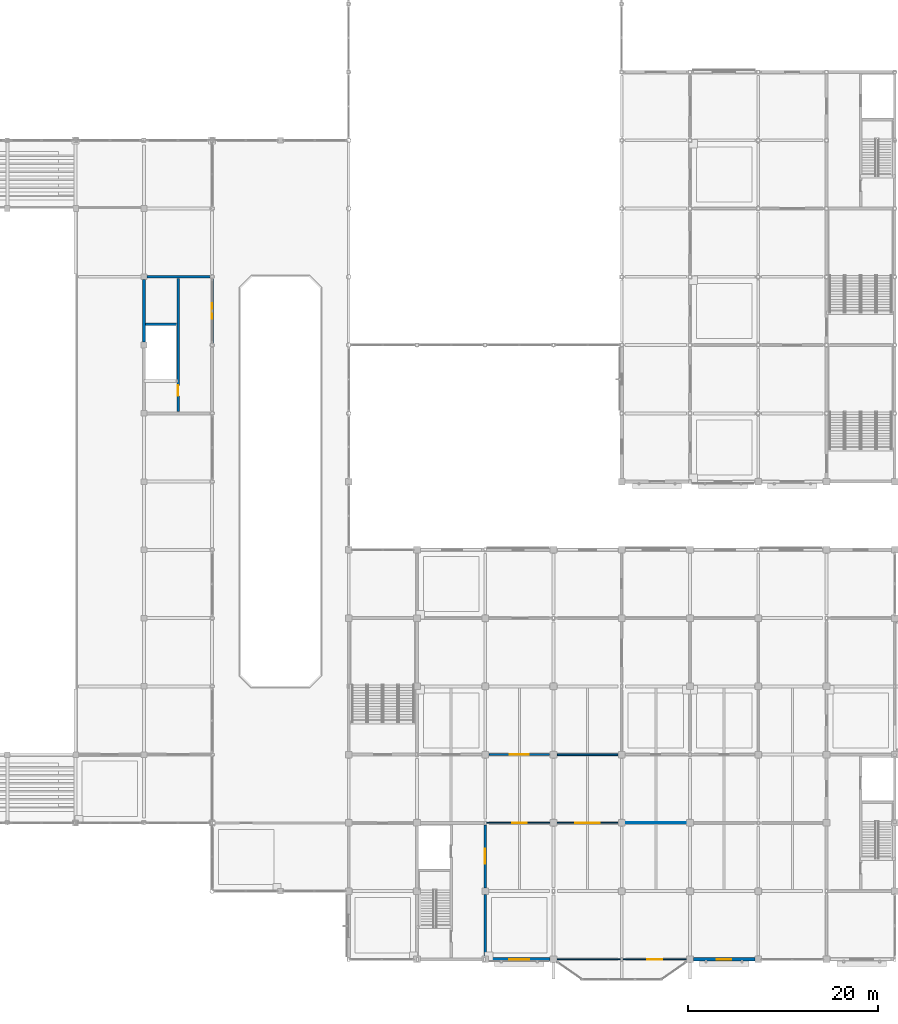
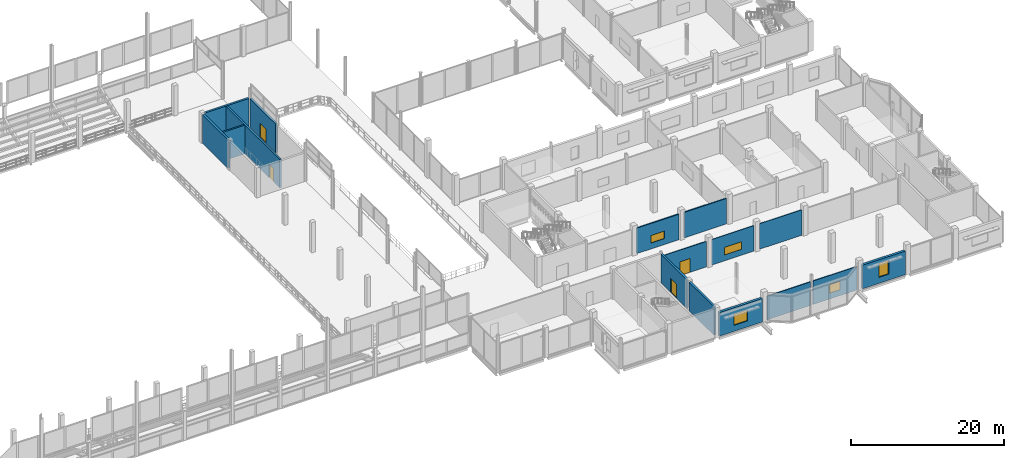
# One storey, part 95 of 120: 16 walls, 5 windows, 4 doors, 9 openings.
"""IFC4 building model written with IfcOpenShell, lengths in metres."""

import ifcopenshell
import ifcopenshell.guid

model = None  # the IFC model being written
_history = None  # IfcOwnerHistory: only IFC2X3 demands one
_inside = {}  # id of a spatial element -> (the spatial element, [elements in it])
_under = {}  # id of a project, library or spatial element -> (it, [spatial elements below it])
_declared = {}  # id of a project -> (the project, [libraries it declares])
_typed = {}  # id of a type object -> (the type object, [elements of that type])
_made_of = {}  # id of a material, layer set ... -> (it, [elements and type objects made of it])


def new_model(schema):
    """Start an empty IFC model of exactly this schema.

    Asked for "IFC4X3", IfcOpenShell would pick the latest addendum, in which some entities
    have other attributes; the version numbers below select the first issue.
    IFC2X3 requires an IfcOwnerHistory on every rooted entity: one is made here for all.
    """
    global model, _history
    if schema == "IFC4X3":
        model = ifcopenshell.file(schema_version=(4, 3, 0, 0))
    else:
        model = ifcopenshell.file(schema=schema)
    _inside.clear()
    _under.clear()
    _declared.clear()
    _typed.clear()
    _made_of.clear()
    _history = None
    if model.schema == "IFC2X3":
        org = make("IfcOrganization", Name="unknown")
        user = make(
            "IfcPersonAndOrganization",
            ThePerson=make("IfcPerson", FamilyName="unknown"),
            TheOrganization=org,
        )
        app = make(
            "IfcApplication",
            ApplicationDeveloper=org,
            Version="unknown",
            ApplicationFullName="unknown",
            ApplicationIdentifier="unknown",
        )
        _history = make(
            "IfcOwnerHistory",
            OwningUser=user,
            OwningApplication=app,
            ChangeAction="ADDED",
            CreationDate=0,
        )
    return model


def make(cls, **values):
    """One entity of the class cls with the attributes given. An attribute that is None is left unset."""
    return model.create_entity(
        cls, **{name: value for name, value in values.items() if value is not None}
    )


def rooted(cls, **values):
    """An entity with a GlobalId (a new one), such as an element, a storey or a relation."""
    return make(cls, GlobalId=ifcopenshell.guid.new(), OwnerHistory=_history, **values)


def si_unit(unit_type, name, prefix=None):
    """IfcSIUnit, for example si_unit("LENGTHUNIT", "METRE", prefix="MILLI")."""
    return make("IfcSIUnit", UnitType=unit_type, Prefix=prefix, Name=name)


def assignment(units):
    """IfcUnitAssignment: the units of a project."""
    return None if units is None else make("IfcUnitAssignment", Units=units)


def point(xyz):
    """IfcCartesianPoint."""
    return None if xyz is None else make("IfcCartesianPoint", Coordinates=xyz)


def direction(xyz):
    """IfcDirection."""
    return None if xyz is None else make("IfcDirection", DirectionRatios=xyz)


def frame(location, z_axis=None, x_axis=None):
    """IfcAxis2Placement3D, a coordinate frame: its origin and axes. An axis left out is left unset."""
    return make(
        "IfcAxis2Placement3D",
        Location=point(location),
        Axis=direction(z_axis),
        RefDirection=direction(x_axis),
    )


def frame_2d(location, x_axis=None):
    """IfcAxis2Placement2D, a coordinate frame in the plane: its origin and x axis."""
    return make(
        "IfcAxis2Placement2D", Location=point(location), RefDirection=direction(x_axis)
    )


def origin():
    """The frame at (0, 0, 0) with its axes left unset."""
    return frame((0.0, 0.0, 0.0))


def place(relative_to, where):
    """IfcLocalPlacement: puts the frame where relative to a parent placement (None: the world)."""
    return make(
        "IfcLocalPlacement", PlacementRelTo=relative_to, RelativePlacement=where
    )


def context(
    kind, dimensions, precision=None, world=None, true_north=None, identifier=None
):
    """IfcGeometricRepresentationContext, for example the 3D "Model" context."""
    return make(
        "IfcGeometricRepresentationContext",
        ContextIdentifier=identifier,
        ContextType=kind,
        CoordinateSpaceDimension=dimensions,
        Precision=precision,
        WorldCoordinateSystem=world,
        TrueNorth=true_north,
    )


def subcontext(parent, identifier, kind, view, scale=None):
    """IfcGeometricRepresentationSubContext, for example "Body" below "Model"."""
    return make(
        "IfcGeometricRepresentationSubContext",
        ContextIdentifier=identifier,
        ContextType=kind,
        ParentContext=parent,
        TargetScale=scale,
        TargetView=view,
    )


def project(units=None, contexts=None):
    """IfcProject with its units and contexts."""
    return rooted(
        "IfcProject",
        Name="project",
        RepresentationContexts=contexts,
        UnitsInContext=assignment(units),
    )


def spatial(cls, under=None, at=None, **own):
    """A site, building, storey or space (cls), placed at a placement, below another one or the project."""
    s = rooted(cls, ObjectPlacement=at, **own)
    if under is not None:
        _under.setdefault(under.id(), (under, []))[1].append(s)
    return s


def profile(cls, at=None, kind="AREA", **sizes):
    """A parametric profile (cls). Its sizes go by their IFC names, for example OverallWidth=200.0."""
    return make(cls, ProfileType=kind, Position=at, **sizes)


def rectangle(**sizes):
    """IfcRectangleProfileDef."""
    return profile("IfcRectangleProfileDef", **sizes)


def extrude(swept, where, along, depth):
    """IfcExtrudedAreaSolid: the profile swept, set in the frame where, extruded along a direction by depth."""
    return make(
        "IfcExtrudedAreaSolid",
        SweptArea=swept,
        Position=where,
        ExtrudedDirection=direction(along),
        Depth=depth,
    )


def shape(context_of_items, identifier, shape_type, items):
    """IfcShapeRepresentation: the items that make up one representation, for example the "Body"."""
    return make(
        "IfcShapeRepresentation",
        ContextOfItems=context_of_items,
        RepresentationIdentifier=identifier,
        RepresentationType=shape_type,
        Items=items,
    )


def material(Name=None, Category=None):
    """IfcMaterial."""
    return make("IfcMaterial", Name=Name, Category=Category)


def layer(
    of_material, thickness, ventilated=None, Name=None, Category=None, Priority=None
):
    """IfcMaterialLayer: one layer of a wall or slab, of a material (None: an air gap)."""
    return make(
        "IfcMaterialLayer",
        Material=of_material,
        LayerThickness=thickness,
        IsVentilated=ventilated,
        Name=Name,
        Category=Category,
        Priority=Priority,
    )


def layer_set(layers, Name=None):
    """IfcMaterialLayerSet."""
    return make("IfcMaterialLayerSet", MaterialLayers=layers, LayerSetName=Name)


def made_of(thing, what):
    """Note that an element or type object is made of a material, layer set ...; save() writes the relation."""
    if what is not None:
        _made_of.setdefault(what.id(), (what, []))[1].append(thing)
    return thing


def type_object(cls, material=None, **own):
    """A type object (cls), such as IfcWallType, which elements share."""
    return made_of(rooted(cls, **own), material)


def element(
    cls,
    number,
    at=None,
    inside=None,
    cuts=None,
    type_object=None,
    material=None,
    context=None,
    identifier="Body",
    shape_type=None,
    held_by="IfcProductDefinitionShape",
    body=None,
    shapes=None,
    **own,
):
    """One element of the class cls, such as IfcWall. Its Tag is "e" and its number.

    at: its placement. inside: the storey or other place that contains it. cuts: it is an
    opening in that element (IfcRelVoidsElement). A single representation is given by context,
    identifier, shape_type and body (its items); several are given by shapes. held_by: the class
    of the entity that holds the representations. save() writes the other relations.
    """
    e = rooted(cls, Tag="e%d" % number, ObjectPlacement=at, **own)
    if body is not None:
        shapes = [shape(context, identifier, shape_type, body)]
    if shapes is not None:
        e.Representation = make(held_by, Representations=shapes)
    if inside is not None:
        _inside.setdefault(inside.id(), (inside, []))[1].append(e)
    if cuts is not None:
        rooted(
            "IfcRelVoidsElement", RelatingBuildingElement=cuts, RelatedOpeningElement=e
        )
    if type_object is not None:
        _typed.setdefault(type_object.id(), (type_object, []))[1].append(e)
    return made_of(e, material)


def fill(opening, filler):
    """IfcRelFillsElement: the door or window that sits in an opening."""
    return rooted(
        "IfcRelFillsElement",
        RelatingOpeningElement=opening,
        RelatedBuildingElement=filler,
    )


def aggregate(whole, parts):
    """IfcRelAggregates: a whole, such as a stair, and the parts it consists of."""
    return rooted("IfcRelAggregates", RelatingObject=whole, RelatedObjects=parts)


def save(model, path):
    """Write the relations noted so far, then the file.

    IfcRelAggregates (storeys below a building ...), IfcRelContainedInSpatialStructure (elements
    in a storey), IfcRelDefinesByType, IfcRelAssociatesMaterial and IfcRelDeclares: one each for
    every whole, place, type object, material and project.
    """
    for whole, parts in _under.values():
        aggregate(whole, parts)
    for where, things in _inside.values():
        rooted(
            "IfcRelContainedInSpatialStructure",
            RelatedElements=things,
            RelatingStructure=where,
        )
    for kind, things in _typed.values():
        rooted("IfcRelDefinesByType", RelatedObjects=things, RelatingType=kind)
    for what, things in _made_of.values():
        rooted("IfcRelAssociatesMaterial", RelatedObjects=things, RelatingMaterial=what)
    for by, libraries in _declared.values():
        rooted("IfcRelDeclares", RelatingContext=by, RelatedDefinitions=libraries)
    model.write(path)


model = new_model("IFC4")

# Units and contexts
model_context = context("Model", 3, precision=1e-05, world=origin(), true_north=direction((0.0, 1.0)))
body_context = subcontext(model_context, "Body", "Model", "MODEL_VIEW")
ifc_project = project(units=[si_unit("LENGTHUNIT", "METRE"), si_unit("AREAUNIT", "SQUARE_METRE"), si_unit("VOLUMEUNIT", "CUBIC_METRE"), si_unit("PLANEANGLEUNIT", "RADIAN"), si_unit("MASSUNIT", "GRAM", prefix="KILO")], contexts=[model_context])

# Site, building, storey
site_placement = place(None, origin())
site = spatial("IfcSite", under=ifc_project, at=site_placement, CompositionType="ELEMENT")
building_placement = place(site_placement, origin())
building = spatial("IfcBuilding", under=site, at=building_placement, Name="Vesperath Aquatics Centre", CompositionType="ELEMENT")
storey_placement = place(building_placement, frame((0.0, 0.0, 10.199951171875)))
storey = spatial("IfcBuildingStorey", under=building, at=storey_placement, Name="L02", CompositionType="ELEMENT", Elevation=10.199951171875)

# Wall, opening, window
ifc_material_1 = material(Name="Glazed majolica and brick insulated cavity wall", Category="masonry")
ifc_layer_1 = layer(ifc_material_1, 0.360107421875)
ifc_layer_set_1 = layer_set([ifc_layer_1], Name="Glazed majolica and brick insulated cavity wall")
wall_type_1 = type_object("IfcWallType", Name="WL-EW03", PredefinedType="SOLIDWALL", material=ifc_layer_set_1)
wall_1_placement = place(storey_placement, frame((129.949951171875, 0.0, 0.0), z_axis=(0.0, 0.0, 1.0), x_axis=(1.0, 0.0, 0.0)))
wall_1 = element("IfcWall", 1, at=wall_1_placement, inside=storey, type_object=wall_type_1, Name="Exterior Wall EW03 L02_S_18_00", PredefinedType="SOLIDWALL", context=body_context, shape_type="SweptSolid", body=[
    extrude(rectangle(XDim=6.5, YDim=0.360107421875, at=frame_2d((3.25, 0.0))), origin(), (0.0, 0.0, 1.0), 3.760009765625),
])
opening_1_placement = place(wall_1_placement, frame((2.199951171875, 0.0, 0.949951171875)))
opening_1 = element("IfcOpeningElement", 2, at=opening_1_placement, cuts=wall_1, Name="Opening W11", PredefinedType="OPENING", context=body_context, shape_type="SweptSolid", body=[
    extrude(rectangle(XDim=2.10009765625, YDim=1.75, at=frame_2d((1.050048828125, 0.875))), frame((0.0, 0.19482421875, 0.0), z_axis=(0.0, -1.0, 0.0), x_axis=(1.0, 0.0, 0.0)), (0.0, 0.0, 1.0), 0.389892578125),
])
ifc_material_2 = material(Name="Thermally broken aluminium triple-glazed window", Category="aluminium")
window_type_1 = type_object("IfcWindowType", Name="WN-W11", PartitioningType="SINGLE_PANEL", PredefinedType="WINDOW", material=ifc_material_2)
window_1_placement = place(opening_1_placement, origin())
window_1 = element("IfcWindow", 3, at=window_1_placement, inside=storey, type_object=window_type_1, Name="Deep-Reveal Casement Window W11 L02_S_18_00", OverallHeight=1.75, OverallWidth=2.10009765625, PartitioningType="SINGLE_PANEL", PredefinedType="WINDOW", context=body_context, shape_type="SweptSolid", body=[
    extrude(rectangle(XDim=2.10009765625, YDim=1.75, at=frame_2d((1.050048828125, 0.875))), frame((0.0, 0.030029296875, 0.0), z_axis=(0.0, -1.0, 0.0), x_axis=(1.0, 0.0, 0.0)), (0.0, 0.0, 1.0), 0.06005859375),
])
fill(opening_1, window_1)

wall_2_placement = place(storey_placement, frame((151.550048828125, 0.0, 0.0), z_axis=(0.0, 0.0, 1.0), x_axis=(1.0, 0.0, 0.0)))
wall_2 = element("IfcWall", 4, at=wall_2_placement, inside=storey, type_object=wall_type_1, Name="Exterior Wall EW03 L02_S_21_00", PredefinedType="SOLIDWALL", context=body_context, shape_type="SweptSolid", body=[
    extrude(rectangle(XDim=6.5, YDim=0.360107421875, at=frame_2d((3.25, 0.0))), origin(), (0.0, 0.0, 1.0), 3.760009765625),
])
opening_2_placement = place(wall_2_placement, frame((2.5, 0.0, 0.949951171875)))
opening_2 = element("IfcOpeningElement", 5, at=opening_2_placement, cuts=wall_2, Name="Opening W04", PredefinedType="OPENING", context=body_context, shape_type="SweptSolid", body=[
    extrude(rectangle(XDim=1.5, YDim=2.199951171875, at=frame_2d((0.75, 1.10009765625))), frame((0.0, 0.19482421875, 0.0), z_axis=(0.0, -1.0, 0.0), x_axis=(1.0, 0.0, 0.0)), (0.0, 0.0, 1.0), 0.389892578125),
])
window_type_2 = type_object("IfcWindowType", Name="WN-W04", PartitioningType="SINGLE_PANEL", PredefinedType="WINDOW", material=ifc_material_2)
window_2_placement = place(opening_2_placement, origin())
window_2 = element("IfcWindow", 6, at=window_2_placement, inside=storey, type_object=window_type_2, Name="Deep-Reveal Casement Window W04 L02_S_21_00", OverallHeight=2.199951171875, OverallWidth=1.5, PartitioningType="SINGLE_PANEL", PredefinedType="WINDOW", context=body_context, shape_type="SweptSolid", body=[
    extrude(rectangle(XDim=1.5, YDim=2.199951171875, at=frame_2d((0.75, 1.10009765625))), frame((0.0, 0.030029296875, 0.0), z_axis=(0.0, -1.0, 0.0), x_axis=(1.0, 0.0, 0.0)), (0.0, 0.0, 1.0), 0.06005859375),
])
fill(opening_2, window_2)

ifc_material_3 = material(Name="Plant acoustic masonry wall", Category="masonry")
ifc_layer_2 = layer(ifc_material_3, 0.18994140625)
ifc_layer_set_2 = layer_set([ifc_layer_2], Name="Plant acoustic masonry wall")
wall_type_2 = type_object("IfcWallType", Name="WL-FW04", PredefinedType="SOLIDWALL", material=ifc_layer_set_2)
wall_3_placement = place(storey_placement, frame((130.0, 21.60009765625, 0.0), z_axis=(0.0, 0.0, 1.0), x_axis=(1.0, 0.0, 0.0)))
wall_3 = element("IfcWall", 7, at=wall_3_placement, inside=storey, type_object=wall_type_2, Name="Interior Partition FW04 L02_FUNC_TR-S2", PredefinedType="SOLIDWALL", context=body_context, shape_type="SweptSolid", body=[
    extrude(rectangle(XDim=6.39990234375, YDim=0.18994140625, at=frame_2d((3.199951171875, 0.0))), origin(), (0.0, 0.0, 1.0), 4.072021484375),
])
opening_3_placement = place(wall_3_placement, frame((2.199951171875, 0.0, 0.949951171875)))
opening_3 = element("IfcOpeningElement", 8, at=opening_3_placement, cuts=wall_3, Name="Opening VW11", PredefinedType="OPENING", context=body_context, shape_type="SweptSolid", body=[
    extrude(rectangle(XDim=2.0, YDim=1.199951171875, at=frame_2d((1.0, 0.60009765625))), frame((0.0, 0.10986328125, 0.0), z_axis=(0.0, -1.0, 0.0), x_axis=(1.0, 0.0, 0.0)), (0.0, 0.0, 1.0), 0.2197265625),
])
ifc_material_4 = material(Name="Acoustic laminated interior viewing glazing", Category="glass")
window_type_3 = type_object("IfcWindowType", Name="WN-IW11", PartitioningType="SINGLE_PANEL", PredefinedType="WINDOW", material=ifc_material_4)
window_3_placement = place(opening_3_placement, origin())
window_3 = element("IfcWindow", 9, at=window_3_placement, inside=storey, type_object=window_type_3, Name="Interior Viewing Window VW11 L02_FUNC_TR", OverallHeight=1.199951171875, OverallWidth=2.0, PartitioningType="SINGLE_PANEL", PredefinedType="WINDOW", context=body_context, shape_type="SweptSolid", body=[
    extrude(rectangle(XDim=2.0, YDim=1.199951171875, at=frame_2d((1.0, 0.60009765625))), frame((0.0, 0.030029296875, 0.0), z_axis=(0.0, -1.0, 0.0), x_axis=(1.0, 0.0, 0.0)), (0.0, 0.0, 1.0), 0.06005859375),
])
fill(opening_3, window_3)

# Walls
ifc_material_5 = material(Name="Double-stud acoustic studio partition", Category="gypsum")
ifc_layer_3 = layer(ifc_material_5, 0.18505859375)
ifc_layer_set_3 = layer_set([ifc_layer_3], Name="Double-stud acoustic studio partition")
wall_type_3 = type_object("IfcWallType", Name="WL-IW01", PredefinedType="PARTITIONING", material=ifc_layer_set_3)
wall_4_placement = place(storey_placement, frame((137.199951171875, 21.60009765625, 0.0), z_axis=(0.0, 0.0, 1.0), x_axis=(1.0, 0.0, 0.0)))
element("IfcWall", 10, at=wall_4_placement, inside=storey, type_object=wall_type_3, Name="Interior Partition IW01 L02_FUNC_TR-S3", PredefinedType="PARTITIONING", context=body_context, shape_type="SweptSolid", body=[
    extrude(rectangle(XDim=6.400146484375, YDim=0.18505859375, at=frame_2d((3.2001953125, 0.0))), origin(), (0.0, 0.0, 1.0), 4.072021484375),
])
ifc_material_6 = material(Name="Office dry-lined partition", Category="gypsum")
ifc_layer_4 = layer(ifc_material_6, 0.1220703125)
ifc_layer_set_4 = layer_set([ifc_layer_4], Name="Office dry-lined partition")
wall_type_4 = type_object("IfcWallType", Name="WL-IW09", PredefinedType="PARTITIONING", material=ifc_layer_set_4)
wall_5_placement = place(storey_placement, frame((137.199951171875, 0.0, 0.0), z_axis=(0.0, 0.0, 1.0), x_axis=(1.0, 0.0, 0.0)))
element("IfcWall", 11, at=wall_5_placement, inside=storey, type_object=wall_type_4, Name="Interior Partition IW09 L02_WEIGHTS-S1", PredefinedType="PARTITIONING", context=body_context, shape_type="SweptSolid", body=[
    extrude(rectangle(XDim=6.625, YDim=0.1220703125, at=frame_2d((3.3125, 0.0))), origin(), (0.0, 0.0, 1.0), 3.760009765625),
])

# Wall, opening, window
ifc_material_7 = material(Name="Store dry-lined partition", Category="gypsum")
ifc_layer_5 = layer(ifc_material_7, 0.114990234375)
ifc_layer_set_5 = layer_set([ifc_layer_5], Name="Store dry-lined partition")
wall_type_5 = type_object("IfcWallType", Name="WL-IW10", PredefinedType="PARTITIONING", material=ifc_layer_set_5)
wall_6_placement = place(storey_placement, frame((144.175048828125, 0.0, 0.0), z_axis=(0.0, 0.0, 1.0), x_axis=(1.0, 0.0, 0.0)))
wall_6 = element("IfcWall", 12, at=wall_6_placement, inside=storey, type_object=wall_type_5, Name="Interior Partition IW10 L02_WEIGHTS-S2", PredefinedType="PARTITIONING", context=body_context, shape_type="SweptSolid", body=[
    extrude(rectangle(XDim=6.625, YDim=0.114990234375, at=frame_2d((3.3125, 0.0))), origin(), (0.0, 0.0, 1.0), 3.760009765625),
])
opening_4_placement = place(wall_6_placement, frame((2.512939453125, 0.0, 0.949951171875)))
opening_4 = element("IfcOpeningElement", 13, at=opening_4_placement, cuts=wall_6, Name="Opening VW09", PredefinedType="OPENING", context=body_context, shape_type="SweptSolid", body=[
    extrude(rectangle(XDim=1.60009765625, YDim=1.35009765625, at=frame_2d((0.800048828125, 0.675048828125))), frame((0.0, 0.072265625, 0.0), z_axis=(0.0, -1.0, 0.0), x_axis=(1.0, 0.0, 0.0)), (0.0, 0.0, 1.0), 0.144775390625),
])
window_type_4 = type_object("IfcWindowType", Name="WN-IW09", PartitioningType="SINGLE_PANEL", PredefinedType="WINDOW", material=ifc_material_4)
window_4_placement = place(opening_4_placement, origin())
window_4 = element("IfcWindow", 14, at=window_4_placement, inside=storey, type_object=window_type_4, Name="Interior Viewing Window VW09 L02_WEIGHTS", OverallHeight=1.35009765625, OverallWidth=1.60009765625, PartitioningType="SINGLE_PANEL", PredefinedType="WINDOW", context=body_context, shape_type="SweptSolid", body=[
    extrude(rectangle(XDim=1.60009765625, YDim=1.35009765625, at=frame_2d((0.800048828125, 0.675048828125))), frame((0.0, 0.030029296875, 0.0), z_axis=(0.0, -1.0, 0.0), x_axis=(1.0, 0.0, 0.0)), (0.0, 0.0, 1.0), 0.06005859375),
])
fill(opening_4, window_4)

# Wall, opening, door
ifc_material_8 = material(Name="Kiosk counter partition", Category="gypsum")
ifc_layer_6 = layer(ifc_material_8, 0.10791015625)
ifc_layer_set_6 = layer_set([ifc_layer_6], Name="Kiosk counter partition")
wall_type_6 = type_object("IfcWallType", Name="WL-IW11", PredefinedType="PARTITIONING", material=ifc_layer_set_6)
wall_7_placement = place(storey_placement, frame((129.77490234375, 14.39990234375, 0.0), z_axis=(0.0, 0.0, 1.0), x_axis=(1.0, 0.0, 0.0)))
wall_7 = element("IfcWall", 15, at=wall_7_placement, inside=storey, type_object=wall_type_6, Name="Interior Partition IW11 L02_WEIGHTS-N1", PredefinedType="PARTITIONING", context=body_context, shape_type="SweptSolid", body=[
    extrude(rectangle(XDim=6.625, YDim=0.10791015625, at=frame_2d((3.3125, 0.0))), origin(), (0.0, 0.0, 1.0), 4.072021484375),
])
opening_5_placement = place(wall_7_placement, frame((2.6650390625, 0.0, 0.0)))
opening_5 = element("IfcOpeningElement", 16, at=opening_5_placement, cuts=wall_7, Name="Opening D31", PredefinedType="OPENING", context=body_context, shape_type="SweptSolid", body=[
    extrude(rectangle(XDim=1.52001953125, YDim=2.199951171875, at=frame_2d((0.760009765625, 1.10009765625))), frame((0.0, 0.06884765625, 0.0), z_axis=(0.0, -1.0, 0.0), x_axis=(1.0, 0.0, 0.0)), (0.0, 0.0, 1.0), 0.1376953125),
])
ifc_material_9 = material(Name="Boardroom and briefing double oak door", Category="wood")
door_type_1 = type_object("IfcDoorType", Name="DR-RM23", OperationType="DOUBLE_SWING_LEFT", PredefinedType="DOOR", material=ifc_material_9)
door_1_placement = place(opening_5_placement, frame((1.52001953125, 0.0, 0.0), z_axis=(0.0, 0.0, 1.0), x_axis=(-1.0, 0.0, 0.0)))
door_1 = element("IfcDoor", 17, at=door_1_placement, inside=storey, type_object=door_type_1, Name="Strength and Conditioning Gymnasium Door D31", OperationType="DOUBLE_SWING_LEFT", OverallHeight=2.199951171875, OverallWidth=1.52001953125, PredefinedType="DOOR", context=body_context, shape_type="SweptSolid", body=[
    extrude(rectangle(XDim=1.52001953125, YDim=2.199951171875, at=frame_2d((0.760009765625, 1.10009765625))), frame((0.0, 0.02490234375, 0.0), z_axis=(0.0, -1.0, 0.0), x_axis=(1.0, 0.0, 0.0)), (0.0, 0.0, 1.0), 0.050048828125),
])
fill(opening_5, door_1)

# Wall, opening, window
ifc_material_10 = material(Name="Light room sub-partition", Category="gypsum")
ifc_layer_7 = layer(ifc_material_10, 0.10009765625)
ifc_layer_set_7 = layer_set([ifc_layer_7], Name="Light room sub-partition")
wall_type_7 = type_object("IfcWallType", Name="WL-IW12", PredefinedType="PARTITIONING", material=ifc_layer_set_7)
wall_8_placement = place(storey_placement, frame((137.199951171875, 14.39990234375, 0.0), z_axis=(0.0, 0.0, 1.0), x_axis=(1.0, 0.0, 0.0)))
wall_8 = element("IfcWall", 18, at=wall_8_placement, inside=storey, type_object=wall_type_7, Name="Interior Partition IW12 L02_WEIGHTS-N2", PredefinedType="PARTITIONING", context=body_context, shape_type="SweptSolid", body=[
    extrude(rectangle(XDim=6.400146484375, YDim=0.10009765625, at=frame_2d((3.2001953125, 0.0))), origin(), (0.0, 0.0, 1.0), 4.072021484375),
])
opening_6_placement = place(wall_8_placement, frame((1.89990234375, 0.0, 0.949951171875)))
opening_6 = element("IfcOpeningElement", 19, at=opening_6_placement, cuts=wall_8, Name="Opening VW10", PredefinedType="OPENING", context=body_context, shape_type="SweptSolid", body=[
    extrude(rectangle(XDim=2.60009765625, YDim=1.199951171875, at=frame_2d((1.300048828125, 0.60009765625))), frame((0.0, 0.06494140625, 0.0), z_axis=(0.0, -1.0, 0.0), x_axis=(1.0, 0.0, 0.0)), (0.0, 0.0, 1.0), 0.1298828125),
])
window_type_5 = type_object("IfcWindowType", Name="WN-IW10", PartitioningType="SINGLE_PANEL", PredefinedType="WINDOW", material=ifc_material_4)
window_5_placement = place(opening_6_placement, origin())
window_5 = element("IfcWindow", 20, at=window_5_placement, inside=storey, type_object=window_type_5, Name="Interior Viewing Window VW10 L02_WEIGHTS", OverallHeight=1.199951171875, OverallWidth=2.60009765625, PartitioningType="SINGLE_PANEL", PredefinedType="WINDOW", context=body_context, shape_type="SweptSolid", body=[
    extrude(rectangle(XDim=2.60009765625, YDim=1.199951171875, at=frame_2d((1.300048828125, 0.60009765625))), frame((0.0, 0.030029296875, 0.0), z_axis=(0.0, -1.0, 0.0), x_axis=(1.0, 0.0, 0.0)), (0.0, 0.0, 1.0), 0.06005859375),
])
fill(opening_6, window_5)

# Walls
ifc_material_11 = material(Name="Poolside glazed screen partition", Category="gypsum")
ifc_layer_8 = layer(ifc_material_11, 0.094970703125)
ifc_layer_set_8 = layer_set([ifc_layer_8], Name="Poolside glazed screen partition")
wall_type_8 = type_object("IfcWallType", Name="WL-IW13", PredefinedType="PARTITIONING", material=ifc_layer_set_8)
wall_9_placement = place(storey_placement, frame((144.39990234375, 14.39990234375, 0.0), z_axis=(0.0, 0.0, 1.0), x_axis=(1.0, 0.0, 0.0)))
element("IfcWall", 21, at=wall_9_placement, inside=storey, type_object=wall_type_8, Name="Interior Partition IW13 L02_WEIGHTS-N3", PredefinedType="PARTITIONING", context=body_context, shape_type="SweptSolid", body=[
    extrude(rectangle(XDim=6.400146484375, YDim=0.094970703125, at=frame_2d((3.2001953125, 0.0))), origin(), (0.0, 0.0, 1.0), 4.072021484375),
])
ifc_material_12 = material(Name="Concrete C40", Category="concrete")
ifc_layer_9 = layer(ifc_material_12, 0.300048828125)
ifc_layer_set_9 = layer_set([ifc_layer_9], Name="Concrete C40")
wall_type_9 = type_object("IfcWallType", Name="WL-SW01", PredefinedType="SHEAR", material=ifc_layer_set_9)
wall_10_placement = place(storey_placement, frame((93.89990234375, 72.0, 0.0), z_axis=(0.0, 0.0, 1.0), x_axis=(1.0, 0.0, 0.0)))
element("IfcWall", 22, at=wall_10_placement, inside=storey, type_object=wall_type_9, Name="Core C8 North Shear Wall SW01 L02", PredefinedType="SHEAR", context=body_context, shape_type="SweptSolid", body=[
    extrude(rectangle(XDim=6.671630859375, YDim=0.300048828125, at=frame_2d((3.3359375, 0.0))), origin(), (0.0, 0.0, 1.0), 4.56005859375),
])
wall_11_placement = place(storey_placement, frame((93.60009765625, 65.10009765625, 0.0), z_axis=(0.0, 0.0, 1.0), x_axis=(0.0, 1.0, 0.0)))
element("IfcWall", 23, at=wall_11_placement, inside=storey, type_object=wall_type_9, Name="Core C8 West-2 Shear Wall SW01 L02", PredefinedType="SHEAR", context=body_context, shape_type="SweptSolid", body=[
    extrude(rectangle(XDim=6.599853515625, YDim=0.300048828125, at=frame_2d((3.2998046875, 0.0))), origin(), (0.0, 0.0, 1.0), 4.56005859375),
])

# Wall, opening, door
wall_12_placement = place(storey_placement, frame((100.800048828125, 65.028564453125, 0.0), z_axis=(0.0, 0.0, 1.0), x_axis=(0.0, 1.0, 0.0)))
wall_12 = element("IfcWall", 24, at=wall_12_placement, inside=storey, type_object=wall_type_9, Name="Core C8 East-2 Shear Wall SW01 L02", PredefinedType="SHEAR", context=body_context, shape_type="SweptSolid", body=[
    extrude(rectangle(XDim=6.742919921875, YDim=0.300048828125, at=frame_2d((3.37158203125, 0.0))), origin(), (0.0, 0.0, 1.0), 4.56005859375),
])
opening_7_placement = place(wall_12_placement, frame((2.572021484375, 0.0, 0.0)))
opening_7 = element("IfcOpeningElement", 25, at=opening_7_placement, cuts=wall_12, Name="Opening D02", PredefinedType="OPENING", context=body_context, shape_type="SweptSolid", body=[
    extrude(rectangle(XDim=1.60009765625, YDim=2.199951171875, at=frame_2d((0.800048828125, 1.10009765625))), frame((0.0, 0.1650390625, 0.0), z_axis=(0.0, -1.0, 0.0), x_axis=(1.0, 0.0, 0.0)), (0.0, 0.0, 1.0), 0.329833984375),
])
ifc_material_13 = material(Name="Glazed fire-rated lobby double door", Category="steel")
door_type_2 = type_object("IfcDoorType", Name="DR-FD02", OperationType="DOUBLE_SWING_LEFT", PredefinedType="DOOR", material=ifc_material_13)
door_2_placement = place(opening_7_placement, frame((1.60009765625, 0.0, 0.0), z_axis=(0.0, 0.0, 1.0), x_axis=(-1.0, 0.0, 0.0)))
door_2 = element("IfcDoor", 26, at=door_2_placement, inside=storey, type_object=door_type_2, Name="Core C8 Lobby Fire Door D02 L02", OperationType="DOUBLE_SWING_LEFT", OverallHeight=2.199951171875, OverallWidth=1.60009765625, PredefinedType="DOOR", context=body_context, shape_type="SweptSolid", body=[
    extrude(rectangle(XDim=1.60009765625, YDim=2.199951171875, at=frame_2d((0.800048828125, 1.10009765625))), frame((0.0, 0.02490234375, 0.0), z_axis=(0.0, -1.0, 0.0), x_axis=(1.0, 0.0, 0.0)), (0.0, 0.0, 1.0), 0.050048828125),
])
fill(opening_7, door_2)

# Wall
wall_13_placement = place(storey_placement, frame((129.60009765625, 0.35009765625, 0.0), z_axis=(0.0, 0.0, 1.0), x_axis=(0.0, 1.0, 0.0)))
element("IfcWall", 27, at=wall_13_placement, inside=storey, type_object=wall_type_9, Name="Core C5 East-1 Shear Wall SW01 L02", PredefinedType="SHEAR", context=body_context, shape_type="SweptSolid", body=[
    extrude(rectangle(XDim=6.5, YDim=0.300048828125, at=frame_2d((3.25, 0.0))), origin(), (0.0, 0.0, 1.0), 4.56005859375),
])

# Wall, opening, door
wall_14_placement = place(storey_placement, frame((129.60009765625, 7.550048828125, 0.0), z_axis=(0.0, 0.0, 1.0), x_axis=(0.0, 1.0, 0.0)))
wall_14 = element("IfcWall", 28, at=wall_14_placement, inside=storey, type_object=wall_type_9, Name="Core C5 East-2 Shear Wall SW01 L02", PredefinedType="SHEAR", context=body_context, shape_type="SweptSolid", body=[
    extrude(rectangle(XDim=6.64990234375, YDim=0.300048828125, at=frame_2d((3.324951171875, 0.0))), origin(), (0.0, 0.0, 1.0), 4.56005859375),
])
opening_8_placement = place(wall_14_placement, frame((2.52490234375, 0.0, 0.0)))
opening_8 = element("IfcOpeningElement", 29, at=opening_8_placement, cuts=wall_14, Name="Opening D02", PredefinedType="OPENING", context=body_context, shape_type="SweptSolid", body=[
    extrude(rectangle(XDim=1.60009765625, YDim=2.199951171875, at=frame_2d((0.800048828125, 1.10009765625))), frame((0.0, 0.1650390625, 0.0), z_axis=(0.0, -1.0, 0.0), x_axis=(1.0, 0.0, 0.0)), (0.0, 0.0, 1.0), 0.329833984375),
])
door_3_placement = place(opening_8_placement, frame((1.60009765625, 0.0, 0.0), z_axis=(0.0, 0.0, 1.0), x_axis=(-1.0, 0.0, 0.0)))
door_3 = element("IfcDoor", 30, at=door_3_placement, inside=storey, type_object=door_type_2, Name="Core C5 Lobby Fire Door D02 L02", OperationType="DOUBLE_SWING_LEFT", OverallHeight=2.199951171875, OverallWidth=1.60009765625, PredefinedType="DOOR", context=body_context, shape_type="SweptSolid", body=[
    extrude(rectangle(XDim=1.60009765625, YDim=2.199951171875, at=frame_2d((0.800048828125, 1.10009765625))), frame((0.0, 0.02490234375, 0.0), z_axis=(0.0, -1.0, 0.0), x_axis=(1.0, 0.0, 0.0)), (0.0, 0.0, 1.0), 0.050048828125),
])
fill(opening_8, door_3)

ifc_layer_10 = layer(ifc_material_12, 0.260009765625)
ifc_layer_set_10 = layer_set([ifc_layer_10], Name="Concrete C40")
wall_type_10 = type_object("IfcWallType", Name="WL-SW03", PredefinedType="SHEAR", material=ifc_layer_set_10)
wall_15_placement = place(storey_placement, frame((97.199951171875, 57.800048828125, 0.0), z_axis=(0.0, 0.0, 1.0), x_axis=(0.0, 1.0, 0.0)))
wall_15 = element("IfcWall", 31, at=wall_15_placement, inside=storey, type_object=wall_type_10, Name="Core C8 Spine Shear Wall SW03 L02", PredefinedType="SHEAR", context=body_context, shape_type="SweptSolid", body=[
    extrude(rectangle(XDim=14.0, YDim=0.260009765625, at=frame_2d((7.0, 0.0))), origin(), (0.0, 0.0, 1.0), 4.56005859375),
])
opening_9_placement = place(wall_15_placement, frame((1.64990234375, 0.0, 0.0)))
opening_9 = element("IfcOpeningElement", 32, at=opening_9_placement, cuts=wall_15, Name="Opening D01", PredefinedType="OPENING", context=body_context, shape_type="SweptSolid", body=[
    extrude(rectangle(XDim=1.10009765625, YDim=2.14990234375, at=frame_2d((0.550048828125, 1.074951171875))), frame((0.0, 0.14501953125, 0.0), z_axis=(0.0, -1.0, 0.0), x_axis=(1.0, 0.0, 0.0)), (0.0, 0.0, 1.0), 0.289794921875),
])
ifc_material_14 = material(Name="Steel-faced acoustic fire door", Category="steel")
door_type_3 = type_object("IfcDoorType", Name="DR-FD01", OperationType="NOTDEFINED", PredefinedType="DOOR", material=ifc_material_14)
door_4_placement = place(opening_9_placement, origin())
door_4 = element("IfcDoor", 33, at=door_4_placement, inside=storey, type_object=door_type_3, Name="Stair ST8 Fire Door D01 L02", OperationType="SINGLE_SWING_RIGHT", OverallHeight=2.14990234375, OverallWidth=1.10009765625, PredefinedType="DOOR", context=body_context, shape_type="SweptSolid", body=[
    extrude(rectangle(XDim=1.10009765625, YDim=2.14990234375, at=frame_2d((0.550048828125, 1.074951171875))), frame((0.0, 0.02490234375, 0.0), z_axis=(0.0, -1.0, 0.0), x_axis=(1.0, 0.0, 0.0)), (0.0, 0.0, 1.0), 0.050048828125),
])
fill(opening_9, door_4)

# Wall
ifc_layer_11 = layer(ifc_material_12, 0.25)
ifc_layer_set_11 = layer_set([ifc_layer_11], Name="Concrete C40")
wall_type_11 = type_object("IfcWallType", Name="WL-SW04", PredefinedType="SHEAR", material=ifc_layer_set_11)
wall_16_placement = place(storey_placement, frame((93.760009765625, 66.97998046875, 0.0), z_axis=(0.0, 0.0, 1.0), x_axis=(1.0, 0.0, 0.0)))
element("IfcWall", 34, at=wall_16_placement, inside=storey, type_object=wall_type_11, Name="Core C8 Lift Shaft Wall SW04 L02", PredefinedType="SHEAR", context=body_context, shape_type="SweptSolid", body=[
    extrude(rectangle(XDim=3.300048828125, YDim=0.25, at=frame_2d((1.64990234375, 0.0))), origin(), (0.0, 0.0, 1.0), 4.56005859375),
])

save(model, "model.ifc")
